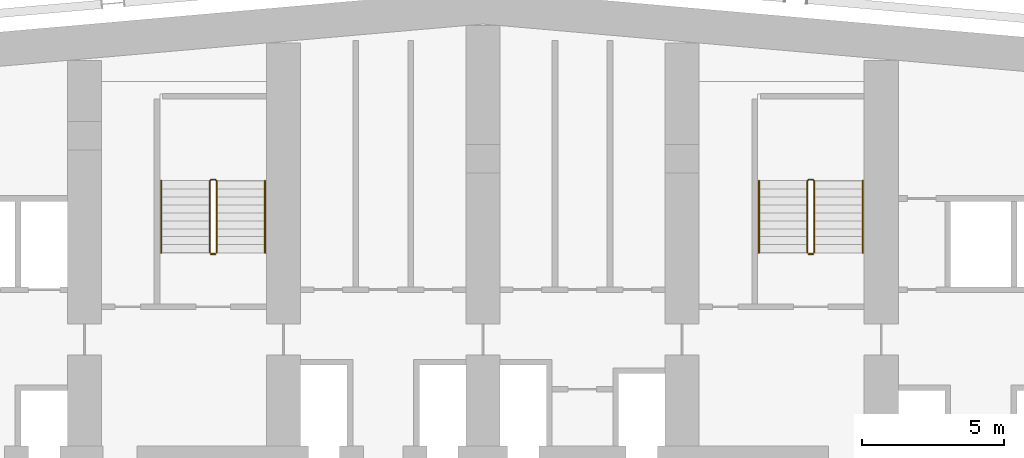
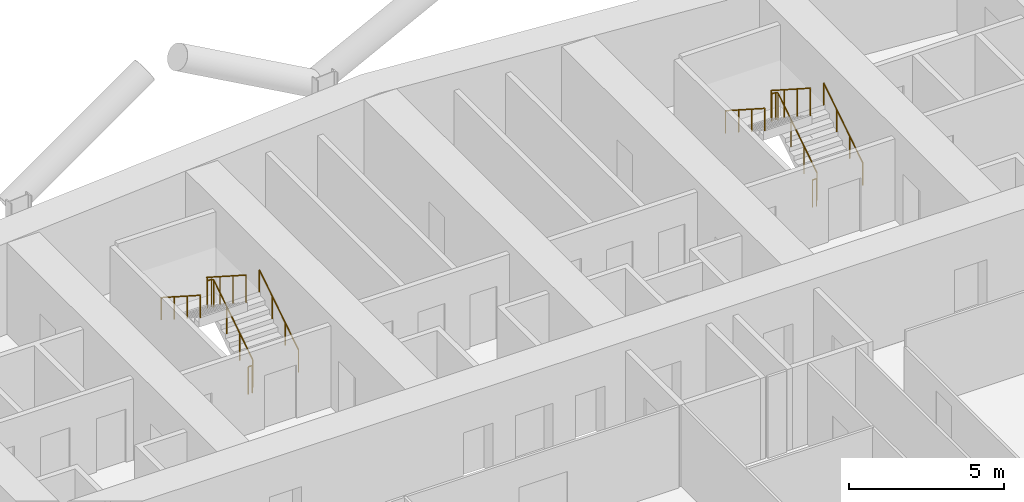
# One storey, part 26 of 27: 8 railings.
"""IFC4 building model written with IfcOpenShell, lengths in metres."""

import ifcopenshell
import ifcopenshell.guid

model = None  # the IFC model being written
_history = None  # IfcOwnerHistory: only IFC2X3 demands one
_inside = {}  # id of a spatial element -> (the spatial element, [elements in it])
_under = {}  # id of a project, library or spatial element -> (it, [spatial elements below it])
_declared = {}  # id of a project -> (the project, [libraries it declares])
_typed = {}  # id of a type object -> (the type object, [elements of that type])
_made_of = {}  # id of a material, layer set ... -> (it, [elements and type objects made of it])


def new_model(schema):
    """Start an empty IFC model of exactly this schema.

    Asked for "IFC4X3", IfcOpenShell would pick the latest addendum, in which some entities
    have other attributes; the version numbers below select the first issue.
    IFC2X3 requires an IfcOwnerHistory on every rooted entity: one is made here for all.
    """
    global model, _history
    if schema == "IFC4X3":
        model = ifcopenshell.file(schema_version=(4, 3, 0, 0))
    else:
        model = ifcopenshell.file(schema=schema)
    _inside.clear()
    _under.clear()
    _declared.clear()
    _typed.clear()
    _made_of.clear()
    _history = None
    if model.schema == "IFC2X3":
        org = make("IfcOrganization", Name="unknown")
        user = make(
            "IfcPersonAndOrganization",
            ThePerson=make("IfcPerson", FamilyName="unknown"),
            TheOrganization=org,
        )
        app = make(
            "IfcApplication",
            ApplicationDeveloper=org,
            Version="unknown",
            ApplicationFullName="unknown",
            ApplicationIdentifier="unknown",
        )
        _history = make(
            "IfcOwnerHistory",
            OwningUser=user,
            OwningApplication=app,
            ChangeAction="ADDED",
            CreationDate=0,
        )
    return model


def make(cls, **values):
    """One entity of the class cls with the attributes given. An attribute that is None is left unset."""
    return model.create_entity(
        cls, **{name: value for name, value in values.items() if value is not None}
    )


def rooted(cls, **values):
    """An entity with a GlobalId (a new one), such as an element, a storey or a relation."""
    return make(cls, GlobalId=ifcopenshell.guid.new(), OwnerHistory=_history, **values)


def si_unit(unit_type, name, prefix=None):
    """IfcSIUnit, for example si_unit("LENGTHUNIT", "METRE", prefix="MILLI")."""
    return make("IfcSIUnit", UnitType=unit_type, Prefix=prefix, Name=name)


def assignment(units):
    """IfcUnitAssignment: the units of a project."""
    return None if units is None else make("IfcUnitAssignment", Units=units)


def point(xyz):
    """IfcCartesianPoint."""
    return None if xyz is None else make("IfcCartesianPoint", Coordinates=xyz)


def direction(xyz):
    """IfcDirection."""
    return None if xyz is None else make("IfcDirection", DirectionRatios=xyz)


def frame(location, z_axis=None, x_axis=None):
    """IfcAxis2Placement3D, a coordinate frame: its origin and axes. An axis left out is left unset."""
    return make(
        "IfcAxis2Placement3D",
        Location=point(location),
        Axis=direction(z_axis),
        RefDirection=direction(x_axis),
    )


def frame_2d(location, x_axis=None):
    """IfcAxis2Placement2D, a coordinate frame in the plane: its origin and x axis."""
    return make(
        "IfcAxis2Placement2D", Location=point(location), RefDirection=direction(x_axis)
    )


def origin():
    """The frame at (0, 0, 0) with its axes left unset."""
    return frame((0.0, 0.0, 0.0))


def origin_2d():
    """The frame at (0, 0) in the plane with its x axis left unset."""
    return frame_2d((0.0, 0.0))


def place(relative_to, where):
    """IfcLocalPlacement: puts the frame where relative to a parent placement (None: the world)."""
    return make(
        "IfcLocalPlacement", PlacementRelTo=relative_to, RelativePlacement=where
    )


def context(
    kind, dimensions, precision=None, world=None, true_north=None, identifier=None
):
    """IfcGeometricRepresentationContext, for example the 3D "Model" context."""
    return make(
        "IfcGeometricRepresentationContext",
        ContextIdentifier=identifier,
        ContextType=kind,
        CoordinateSpaceDimension=dimensions,
        Precision=precision,
        WorldCoordinateSystem=world,
        TrueNorth=true_north,
    )


def subcontext(parent, identifier, kind, view, scale=None):
    """IfcGeometricRepresentationSubContext, for example "Body" below "Model"."""
    return make(
        "IfcGeometricRepresentationSubContext",
        ContextIdentifier=identifier,
        ContextType=kind,
        ParentContext=parent,
        TargetScale=scale,
        TargetView=view,
    )


def project(units=None, contexts=None):
    """IfcProject with its units and contexts."""
    return rooted(
        "IfcProject",
        Name="project",
        RepresentationContexts=contexts,
        UnitsInContext=assignment(units),
    )


def spatial(cls, under=None, at=None, **own):
    """A site, building, storey or space (cls), placed at a placement, below another one or the project."""
    s = rooted(cls, ObjectPlacement=at, **own)
    if under is not None:
        _under.setdefault(under.id(), (under, []))[1].append(s)
    return s


def profile(cls, at=None, kind="AREA", **sizes):
    """A parametric profile (cls). Its sizes go by their IFC names, for example OverallWidth=200.0."""
    return make(cls, ProfileType=kind, Position=at, **sizes)


def circle(**sizes):
    """IfcCircleProfileDef."""
    return profile("IfcCircleProfileDef", **sizes)


def extrude(swept, where, along, depth):
    """IfcExtrudedAreaSolid: the profile swept, set in the frame where, extruded along a direction by depth."""
    return make(
        "IfcExtrudedAreaSolid",
        SweptArea=swept,
        Position=where,
        ExtrudedDirection=direction(along),
        Depth=depth,
    )


def shape(context_of_items, identifier, shape_type, items):
    """IfcShapeRepresentation: the items that make up one representation, for example the "Body"."""
    return make(
        "IfcShapeRepresentation",
        ContextOfItems=context_of_items,
        RepresentationIdentifier=identifier,
        RepresentationType=shape_type,
        Items=items,
    )


def material(Name=None, Category=None):
    """IfcMaterial."""
    return make("IfcMaterial", Name=Name, Category=Category)


def made_of(thing, what):
    """Note that an element or type object is made of a material, layer set ...; save() writes the relation."""
    if what is not None:
        _made_of.setdefault(what.id(), (what, []))[1].append(thing)
    return thing


def type_object(cls, material=None, **own):
    """A type object (cls), such as IfcWallType, which elements share."""
    return made_of(rooted(cls, **own), material)


def element(
    cls,
    number,
    at=None,
    inside=None,
    cuts=None,
    type_object=None,
    material=None,
    context=None,
    identifier="Body",
    shape_type=None,
    held_by="IfcProductDefinitionShape",
    body=None,
    shapes=None,
    **own,
):
    """One element of the class cls, such as IfcWall. Its Tag is "e" and its number.

    at: its placement. inside: the storey or other place that contains it. cuts: it is an
    opening in that element (IfcRelVoidsElement). A single representation is given by context,
    identifier, shape_type and body (its items); several are given by shapes. held_by: the class
    of the entity that holds the representations. save() writes the other relations.
    """
    e = rooted(cls, Tag="e%d" % number, ObjectPlacement=at, **own)
    if body is not None:
        shapes = [shape(context, identifier, shape_type, body)]
    if shapes is not None:
        e.Representation = make(held_by, Representations=shapes)
    if inside is not None:
        _inside.setdefault(inside.id(), (inside, []))[1].append(e)
    if cuts is not None:
        rooted(
            "IfcRelVoidsElement", RelatingBuildingElement=cuts, RelatedOpeningElement=e
        )
    if type_object is not None:
        _typed.setdefault(type_object.id(), (type_object, []))[1].append(e)
    return made_of(e, material)


def aggregate(whole, parts):
    """IfcRelAggregates: a whole, such as a stair, and the parts it consists of."""
    return rooted("IfcRelAggregates", RelatingObject=whole, RelatedObjects=parts)


def save(model, path):
    """Write the relations noted so far, then the file.

    IfcRelAggregates (storeys below a building ...), IfcRelContainedInSpatialStructure (elements
    in a storey), IfcRelDefinesByType, IfcRelAssociatesMaterial and IfcRelDeclares: one each for
    every whole, place, type object, material and project.
    """
    for whole, parts in _under.values():
        aggregate(whole, parts)
    for where, things in _inside.values():
        rooted(
            "IfcRelContainedInSpatialStructure",
            RelatedElements=things,
            RelatingStructure=where,
        )
    for kind, things in _typed.values():
        rooted("IfcRelDefinesByType", RelatedObjects=things, RelatingType=kind)
    for what, things in _made_of.values():
        rooted("IfcRelAssociatesMaterial", RelatedObjects=things, RelatingMaterial=what)
    for by, libraries in _declared.values():
        rooted("IfcRelDeclares", RelatingContext=by, RelatedDefinitions=libraries)
    model.write(path)


model = new_model("IFC4")

# Units and contexts
model_context = context("Model", 3, precision=1e-05, world=origin(), true_north=direction((0.0, 1.0)))
body_context = subcontext(model_context, "Body", "Model", "MODEL_VIEW")
ifc_project = project(units=[si_unit("LENGTHUNIT", "METRE"), si_unit("AREAUNIT", "SQUARE_METRE"), si_unit("VOLUMEUNIT", "CUBIC_METRE"), si_unit("PLANEANGLEUNIT", "RADIAN"), si_unit("MASSUNIT", "GRAM", prefix="KILO")], contexts=[model_context])

# Site, building, storey
site_placement = place(None, origin())
site = spatial("IfcSite", under=ifc_project, at=site_placement, CompositionType="ELEMENT")
building_placement = place(site_placement, origin())
building = spatial("IfcBuilding", under=site, at=building_placement, Name="Wharfspan Tower", CompositionType="ELEMENT")
storey_placement = place(building_placement, frame((0.0, 0.0, 73.899902)))
storey = spatial("IfcBuildingStorey", under=building, at=storey_placement, Name="L15", CompositionType="ELEMENT", Elevation=73.899902)

# Railings
ifc_material = material(Name="Steel S355J2", Category="steel")
railing_type_1 = type_object("IfcRailingType", Name="Stair guard 1100", PredefinedType="GUARDRAIL", material=ifc_material)
railing_1_placement = place(storey_placement, frame((27.649902, 42.0, 0.180176)))
element("IfcRailing", 1, at=railing_1_placement, inside=storey, type_object=railing_type_1, Name="L15 ST1 stair guard 1", PredefinedType="GUARDRAIL", context=body_context, shape_type="SweptSolid", body=[
    extrude(circle(Radius=0.023926, at=origin_2d()), frame((0.0, 0.0, 1.076172), z_axis=(0.0, 0.8412, 0.540725), x_axis=(-1.0, 0.0, 0.0)), (0.0, 0.0, 1.0), 2.99585),
    extrude(circle(Radius=0.023926, at=origin_2d()), frame((0.0, 2.52002, 2.695801), z_axis=(-0.705376, 0.708834, 0.0), x_axis=(-0.708834, -0.705376, 0.0)), (0.0, 0.0, 1.0), 0.070557),
    extrude(circle(Radius=0.023926, at=origin_2d()), frame((-0.049805, 2.570068, 2.695801), z_axis=(-1.0, 0.0, 0.0), x_axis=(0.0, -1.0, 0.0)), (0.0, 0.0, 1.0), 0.150146),
    extrude(circle(Radius=0.023926, at=origin_2d()), frame((-0.199951, 2.570068, 2.695801), z_axis=(-0.258848, -0.258848, 0.930589), x_axis=(0.707107, -0.707107, 0.0)), (0.0, 0.0, 1.0), 0.193359),
    extrude(circle(Radius=0.023926, at=origin_2d()), frame((-0.25, 2.52002, 2.875977), z_axis=(0.0, -0.841163, 0.540782), x_axis=(1.0, 0.0, 0.0)), (0.0, 0.0, 1.0), 2.99585),
    extrude(circle(Radius=0.020996, at=origin_2d()), origin(), (0.0, 0.0, 1.0), 1.052002),
    extrude(circle(Radius=0.020996, at=origin_2d()), frame((0.0, 0.840088, 0.540039)), (0.0, 0.0, 1.0), 1.052002),
    extrude(circle(Radius=0.020996, at=origin_2d()), frame((0.0, 1.679932, 1.079834)), (0.0, 0.0, 1.0), 1.052002),
    extrude(circle(Radius=0.020996, at=origin_2d()), frame((0.0, 2.52002, 1.619873)), (0.0, 0.0, 1.0), 1.052002),
    extrude(circle(Radius=0.020996, at=origin_2d()), frame((-0.049805, 2.570068, 1.619873)), (0.0, 0.0, 1.0), 1.052002),
    extrude(circle(Radius=0.020996, at=origin_2d()), frame((-0.199951, 2.570068, 1.619873)), (0.0, 0.0, 1.0), 1.052002),
    extrude(circle(Radius=0.020996, at=origin_2d()), frame((-0.25, 2.52002, 1.799805)), (0.0, 0.0, 1.0), 1.052002),
    extrude(circle(Radius=0.020996, at=origin_2d()), frame((-0.25, 1.679932, 2.339844)), (0.0, 0.0, 1.0), 1.052002),
    extrude(circle(Radius=0.020996, at=origin_2d()), frame((-0.25, 0.840088, 2.879883)), (0.0, 0.0, 1.0), 1.052002),
    extrude(circle(Radius=0.020996, at=origin_2d()), frame((-0.25, 0.0, 3.419922)), (0.0, 0.0, 1.0), 1.052002),
])
railing_2_placement = place(storey_placement, frame((27.600098, 41.949951, 0.0)))
element("IfcRailing", 2, at=railing_2_placement, inside=storey, type_object=railing_type_1, Name="L15 ST1 stair guard 2", PredefinedType="GUARDRAIL", context=body_context, shape_type="SweptSolid", body=[
    extrude(circle(Radius=0.023926, at=origin_2d()), frame((0.0, 0.0, 1.076172), z_axis=(-1.0, 0.0, 0.0), x_axis=(0.0, -1.0, 0.0)), (0.0, 0.0, 1.0), 0.150146),
    extrude(circle(Radius=0.020996, at=origin_2d()), origin(), (0.0, 0.0, 1.0), 1.052002),
    extrude(circle(Radius=0.020996, at=origin_2d()), frame((-0.150146, 0.0, 0.0)), (0.0, 0.0, 1.0), 1.052002),
])
railing_3_placement = place(storey_placement, frame((48.649902, 42.0, 0.180176)))
element("IfcRailing", 3, at=railing_3_placement, inside=storey, type_object=railing_type_1, Name="L15 ST2 stair guard 1", PredefinedType="GUARDRAIL", context=body_context, shape_type="SweptSolid", body=[
    extrude(circle(Radius=0.023926, at=origin_2d()), frame((0.0, 0.0, 1.076172), z_axis=(0.0, 0.8412, 0.540725), x_axis=(-1.0, 0.0, 0.0)), (0.0, 0.0, 1.0), 2.99585),
    extrude(circle(Radius=0.023926, at=origin_2d()), frame((0.0, 2.52002, 2.695801), z_axis=(-0.705376, 0.708834, 0.0), x_axis=(-0.708834, -0.705376, 0.0)), (0.0, 0.0, 1.0), 0.070557),
    extrude(circle(Radius=0.023926, at=origin_2d()), frame((-0.049805, 2.570068, 2.695801), z_axis=(-1.0, 0.0, 0.0), x_axis=(0.0, -1.0, 0.0)), (0.0, 0.0, 1.0), 0.150146),
    extrude(circle(Radius=0.023926, at=origin_2d()), frame((-0.199951, 2.570068, 2.695801), z_axis=(-0.258848, -0.258848, 0.930589), x_axis=(0.707107, -0.707107, 0.0)), (0.0, 0.0, 1.0), 0.193359),
    extrude(circle(Radius=0.023926, at=origin_2d()), frame((-0.25, 2.52002, 2.875977), z_axis=(0.0, -0.841163, 0.540782), x_axis=(1.0, 0.0, 0.0)), (0.0, 0.0, 1.0), 2.99585),
    extrude(circle(Radius=0.020996, at=origin_2d()), origin(), (0.0, 0.0, 1.0), 1.052002),
    extrude(circle(Radius=0.020996, at=origin_2d()), frame((0.0, 0.840088, 0.540039)), (0.0, 0.0, 1.0), 1.052002),
    extrude(circle(Radius=0.020996, at=origin_2d()), frame((0.0, 1.679932, 1.079834)), (0.0, 0.0, 1.0), 1.052002),
    extrude(circle(Radius=0.020996, at=origin_2d()), frame((0.0, 2.52002, 1.619873)), (0.0, 0.0, 1.0), 1.052002),
    extrude(circle(Radius=0.020996, at=origin_2d()), frame((-0.049805, 2.570068, 1.619873)), (0.0, 0.0, 1.0), 1.052002),
    extrude(circle(Radius=0.020996, at=origin_2d()), frame((-0.199951, 2.570068, 1.619873)), (0.0, 0.0, 1.0), 1.052002),
    extrude(circle(Radius=0.020996, at=origin_2d()), frame((-0.25, 2.52002, 1.799805)), (0.0, 0.0, 1.0), 1.052002),
    extrude(circle(Radius=0.020996, at=origin_2d()), frame((-0.25, 1.679932, 2.339844)), (0.0, 0.0, 1.0), 1.052002),
    extrude(circle(Radius=0.020996, at=origin_2d()), frame((-0.25, 0.840088, 2.879883)), (0.0, 0.0, 1.0), 1.052002),
    extrude(circle(Radius=0.020996, at=origin_2d()), frame((-0.25, 0.0, 3.419922)), (0.0, 0.0, 1.0), 1.052002),
])
railing_4_placement = place(storey_placement, frame((48.600098, 41.949951, 0.0)))
element("IfcRailing", 4, at=railing_4_placement, inside=storey, type_object=railing_type_1, Name="L15 ST2 stair guard 2", PredefinedType="GUARDRAIL", context=body_context, shape_type="SweptSolid", body=[
    extrude(circle(Radius=0.023926, at=origin_2d()), frame((0.0, 0.0, 1.076172), z_axis=(-1.0, 0.0, 0.0), x_axis=(0.0, -1.0, 0.0)), (0.0, 0.0, 1.0), 0.150146),
    extrude(circle(Radius=0.020996, at=origin_2d()), origin(), (0.0, 0.0, 1.0), 1.052002),
    extrude(circle(Radius=0.020996, at=origin_2d()), frame((-0.150146, 0.0, 0.0)), (0.0, 0.0, 1.0), 1.052002),
])
railing_type_2 = type_object("IfcRailingType", Name="Stair handrail 900", PredefinedType="HANDRAIL", material=ifc_material)
railing_5_placement = place(storey_placement, frame((29.350098, 42.0, 0.180176)))
element("IfcRailing", 5, at=railing_5_placement, inside=storey, type_object=railing_type_2, Name="L15 ST1 stair handrail 1", PredefinedType="HANDRAIL", context=body_context, shape_type="SweptSolid", body=[
    extrude(circle(Radius=0.023926, at=origin_2d()), frame((0.0, 0.0, 0.875977), z_axis=(0.0, 0.8412, 0.540725), x_axis=(-1.0, 0.0, 0.0)), (0.0, 0.0, 1.0), 2.99585),
    extrude(circle(Radius=0.020996, at=origin_2d()), origin(), (0.0, 0.0, 1.0), 0.851807),
    extrude(circle(Radius=0.020996, at=origin_2d()), frame((0.0, 0.840088, 0.540039)), (0.0, 0.0, 1.0), 0.851807),
    extrude(circle(Radius=0.020996, at=origin_2d()), frame((0.0, 1.679932, 1.079834)), (0.0, 0.0, 1.0), 0.851807),
    extrude(circle(Radius=0.020996, at=origin_2d()), frame((0.0, 2.52002, 1.619873)), (0.0, 0.0, 1.0), 0.851807),
])
railing_6_placement = place(storey_placement, frame((25.699951, 44.52002, 1.97998)))
element("IfcRailing", 6, at=railing_6_placement, inside=storey, type_object=railing_type_2, Name="L15 ST1 stair handrail 2", PredefinedType="HANDRAIL", context=body_context, shape_type="SweptSolid", body=[
    extrude(circle(Radius=0.023926, at=origin_2d()), frame((0.0, 0.0, 0.875977), z_axis=(0.0, -0.841163, 0.540782), x_axis=(1.0, 0.0, 0.0)), (0.0, 0.0, 1.0), 2.99585),
    extrude(circle(Radius=0.020996, at=origin_2d()), origin(), (0.0, 0.0, 1.0), 0.851807),
    extrude(circle(Radius=0.020996, at=origin_2d()), frame((0.0, -0.840088, 0.540039)), (0.0, 0.0, 1.0), 0.851807),
    extrude(circle(Radius=0.020996, at=origin_2d()), frame((0.0, -1.679932, 1.080078)), (0.0, 0.0, 1.0), 0.851807),
    extrude(circle(Radius=0.020996, at=origin_2d()), frame((0.0, -2.52002, 1.620117)), (0.0, 0.0, 1.0), 0.851807),
])
railing_7_placement = place(storey_placement, frame((50.350098, 42.0, 0.180176)))
element("IfcRailing", 7, at=railing_7_placement, inside=storey, type_object=railing_type_2, Name="L15 ST2 stair handrail 1", PredefinedType="HANDRAIL", context=body_context, shape_type="SweptSolid", body=[
    extrude(circle(Radius=0.023926, at=origin_2d()), frame((0.0, 0.0, 0.875977), z_axis=(0.0, 0.8412, 0.540725), x_axis=(-1.0, 0.0, 0.0)), (0.0, 0.0, 1.0), 2.99585),
    extrude(circle(Radius=0.020996, at=origin_2d()), origin(), (0.0, 0.0, 1.0), 0.851807),
    extrude(circle(Radius=0.020996, at=origin_2d()), frame((0.0, 0.840088, 0.540039)), (0.0, 0.0, 1.0), 0.851807),
    extrude(circle(Radius=0.020996, at=origin_2d()), frame((0.0, 1.679932, 1.079834)), (0.0, 0.0, 1.0), 0.851807),
    extrude(circle(Radius=0.020996, at=origin_2d()), frame((0.0, 2.52002, 1.619873)), (0.0, 0.0, 1.0), 0.851807),
])
railing_8_placement = place(storey_placement, frame((46.699951, 44.52002, 1.97998)))
element("IfcRailing", 8, at=railing_8_placement, inside=storey, type_object=railing_type_2, Name="L15 ST2 stair handrail 2", PredefinedType="HANDRAIL", context=body_context, shape_type="SweptSolid", body=[
    extrude(circle(Radius=0.023926, at=origin_2d()), frame((0.0, 0.0, 0.875977), z_axis=(0.0, -0.841163, 0.540782), x_axis=(1.0, 0.0, 0.0)), (0.0, 0.0, 1.0), 2.99585),
    extrude(circle(Radius=0.020996, at=origin_2d()), origin(), (0.0, 0.0, 1.0), 0.851807),
    extrude(circle(Radius=0.020996, at=origin_2d()), frame((0.0, -0.840088, 0.540039)), (0.0, 0.0, 1.0), 0.851807),
    extrude(circle(Radius=0.020996, at=origin_2d()), frame((0.0, -1.679932, 1.080078)), (0.0, 0.0, 1.0), 0.851807),
    extrude(circle(Radius=0.020996, at=origin_2d()), frame((0.0, -2.52002, 1.620117)), (0.0, 0.0, 1.0), 0.851807),
])

save(model, "model.ifc")
